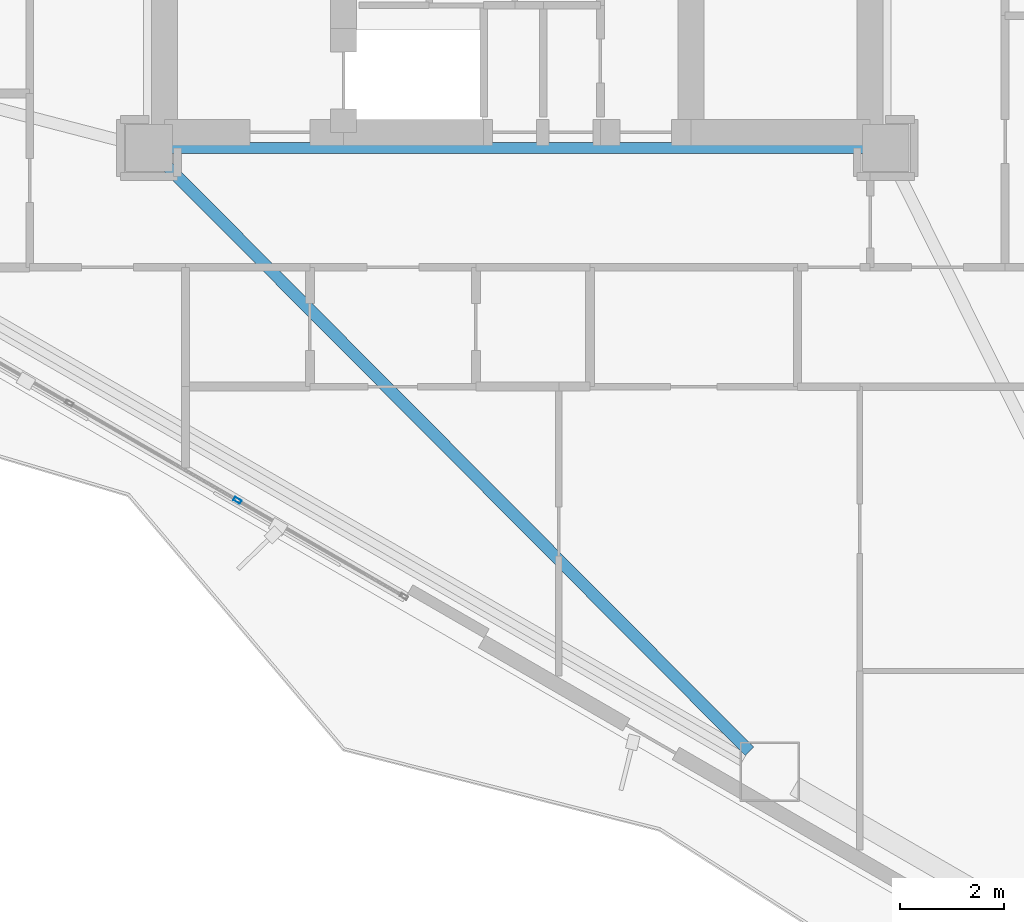
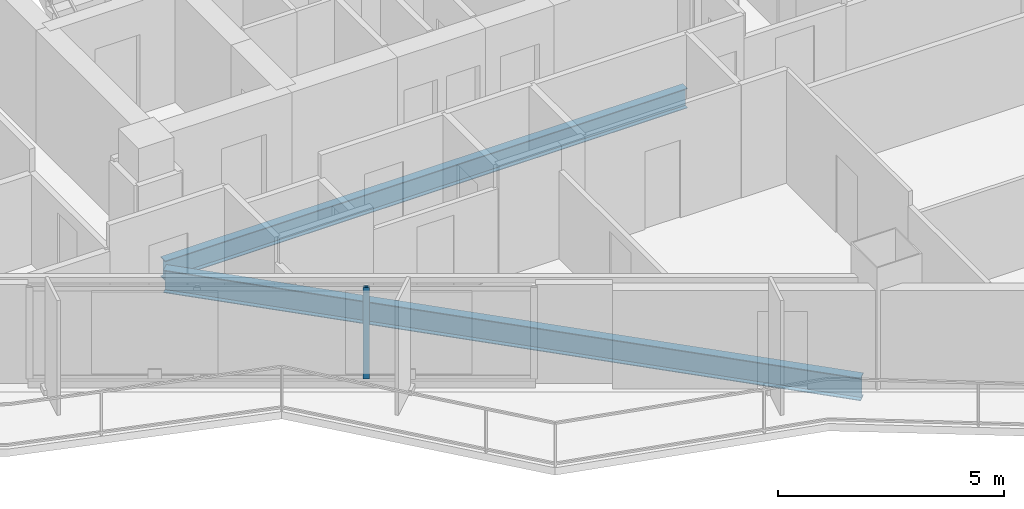
# One storey, part 4 of 22: 2 beams, 1 member, 1 element without a shape of its own.
"""IFC4 building model written with IfcOpenShell, lengths in metres."""

from ifc_helpers import new_model, si_unit, direction, frame, origin, origin_2d, place, context, subcontext, project, spatial, hollow_rectangle, i_section, extrude, material, layer, layer_set, material_profile, profile_set, type_object, element, aggregate, save


model = new_model("IFC4")

# Units and contexts
model_context = context("Model", 3, precision=1e-05, world=origin(), true_north=direction((0.0, 1.0)))
body_context = subcontext(model_context, "Body", "Model", "MODEL_VIEW")
ifc_project = project(units=[si_unit("LENGTHUNIT", "METRE"), si_unit("AREAUNIT", "SQUARE_METRE"), si_unit("VOLUMEUNIT", "CUBIC_METRE"), si_unit("PLANEANGLEUNIT", "RADIAN"), si_unit("MASSUNIT", "GRAM", prefix="KILO")], contexts=[model_context])

# Site, building, storey
site_placement = place(None, origin())
site = spatial("IfcSite", under=ifc_project, at=site_placement, CompositionType="ELEMENT")
building_placement = place(site_placement, origin())
building = spatial("IfcBuilding", under=site, at=building_placement, Name="Mersakhor Tower and Convention Hall", CompositionType="ELEMENT")
storey_placement = place(building_placement, frame((0.0, 0.0, 86.699951171875)))
storey = spatial("IfcBuildingStorey", under=building, at=storey_placement, Name="L23", CompositionType="ELEMENT", Elevation=86.699951171875)

# Beams
ifc_material_1 = material(Name="Steel S355", Category="steel")
ifc_material_profile_1 = material_profile(ifc_material_1, i_section(OverallWidth=0.2099609375, OverallDepth=0.53662109375, WebThickness=0.0107421875, FlangeThickness=0.017333984375, at=origin_2d()), Name="UB 533x210x101")
ifc_profile_set_1 = profile_set([ifc_material_profile_1], Name="Steel S355")
beam_type_1 = type_object("IfcBeamType", Name="BM-FB-533", PredefinedType="BEAM", material=ifc_profile_set_1)
beam_1_placement = place(storey_placement, frame((35.669921875, 20.449951171875, -0.518310546875), z_axis=(-1.0, 0.0, 0.0), x_axis=(0.0, -1.0, 0.0)))
element("IfcBeam", 1, at=beam_1_placement, inside=storey, type_object=beam_type_1, Name="L23 Core Ring Tie Beam CRB-4", PredefinedType="BEAM", context=body_context, shape_type="SweptSolid", body=[
    extrude(i_section(OverallWidth=0.2099609375, OverallDepth=0.53662109375, WebThickness=0.0107421875, FlangeThickness=0.017333984375, at=origin_2d()), origin(), (0.0, 0.0, 1.0), 13.33984375),
])
ifc_material_2 = material(Name="Steel S355", Category="steel")
ifc_material_profile_2 = material_profile(ifc_material_2, i_section(OverallWidth=0.22900390625, OverallDepth=0.6123046875, WebThickness=0.011962890625, FlangeThickness=0.01953125, at=origin_2d()), Name="UB 610x229x125")
ifc_profile_set_2 = profile_set([ifc_material_profile_2], Name="Steel S355")
beam_type_2 = type_object("IfcBeamType", Name="BM-PR-610", PredefinedType="BEAM", material=ifc_profile_set_2)
beam_2_placement = place(storey_placement, frame((22.203369140625, 20.145263671875, -0.55615234375), z_axis=(0.705400603107, -0.708808852327, 0.0), x_axis=(0.708808852327, 0.705400603107, 0.0)))
element("IfcBeam", 2, at=beam_2_placement, inside=storey, type_object=beam_type_2, Name="L23 Primary Floor Girder FG-5", PredefinedType="BEAM", context=body_context, shape_type="SweptSolid", body=[
    extrude(i_section(OverallWidth=0.22900390625, OverallDepth=0.6123046875, WebThickness=0.011962890625, FlangeThickness=0.01953125, at=origin_2d()), origin(), (0.0, 0.0, 1.0), 15.973876953125),
])

# Curtain wall, member
ifc_material_3 = material(Name="Dark solar low-E aluminium curtain wall", Category="aluminium")
ifc_layer = layer(ifc_material_3, 0.159912109375)
ifc_layer_set = layer_set([ifc_layer], Name="Dark solar low-E aluminium curtain wall")
curtain_wall_type = type_object("IfcCurtainWallType", Name="CW-SYS-01", PredefinedType="USERDEFINED", material=ifc_layer_set)
curtain_wall_placement = place(storey_placement, origin())
curtain_wall = element("IfcCurtainWall", 3, at=curtain_wall_placement, inside=storey, type_object=curtain_wall_type, Name="L23 Dark-Glass Curtain Wall F3-B2", ObjectType="CURTAIN WALL", PredefinedType="USERDEFINED")
ifc_material_4 = material(Name="Anodised aluminium EN AW-6063 T6", Category="aluminium")
ifc_material_profile_3 = material_profile(ifc_material_4, hollow_rectangle(XDim=0.074951171875, YDim=0.14990234375, WallThickness=0.00634765625, at=origin_2d()), Name="RHS 150x75x6.3")
ifc_profile_set_3 = profile_set([ifc_material_profile_3], Name="Anodised aluminium EN AW-6063 T6")
member_type = type_object("IfcMemberType", Name="CWM-150x75", PredefinedType="MULLION", material=ifc_profile_set_3)
member_placement = place(storey_placement, frame((23.603515625, 13.659912109375, 0.199951171875), z_axis=(0.0, 0.0, 1.0), x_axis=(-0.499997904985, -0.866026613339, 0.0)))
member = element("IfcMember", 4, at=member_placement, type_object=member_type, Name="CW-01 mullion 2", PredefinedType="MULLION", context=body_context, shape_type="SweptSolid", body=[
    extrude(hollow_rectangle(XDim=0.074951171875, YDim=0.14990234375, WallThickness=0.00634765625, at=origin_2d()), origin(), (0.0, 0.0, 1.0), 2.47021484375),
])
aggregate(curtain_wall, [member])

save(model, "model.ifc")
